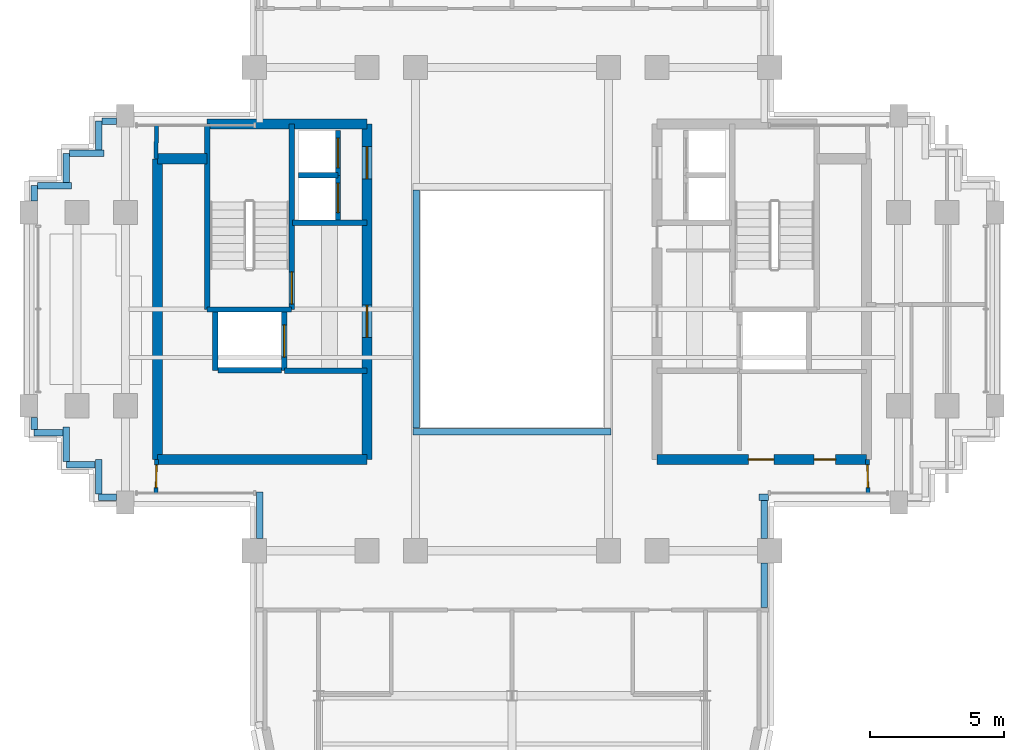
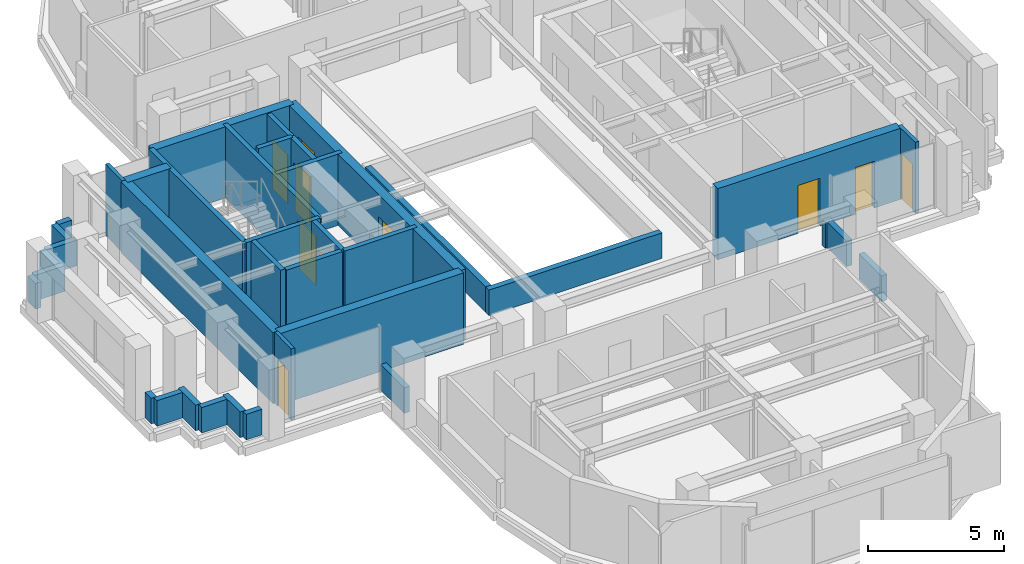
# One storey, part 6 of 11: 38 walls, 10 doors, 10 openings.
"""IFC4 building model written with IfcOpenShell, lengths in metres."""

from ifc_helpers import new_model, si_unit, direction, frame, frame_2d, origin, place, context, subcontext, project, spatial, rectangle, extrude, source, transform, mapped, material, layer, layer_set, type_object, element, fill, save


model = new_model("IFC4")

# Units and contexts
model_context = context("Model", 3, precision=1e-05, world=origin(), true_north=direction((0.0, 1.0)))
body_context = subcontext(model_context, "Body", "Model", "MODEL_VIEW")
ifc_project = project(units=[si_unit("LENGTHUNIT", "METRE"), si_unit("AREAUNIT", "SQUARE_METRE"), si_unit("VOLUMEUNIT", "CUBIC_METRE"), si_unit("PLANEANGLEUNIT", "RADIAN"), si_unit("MASSUNIT", "GRAM", prefix="KILO")], contexts=[model_context])

# Site, building, storey
site_placement = place(None, origin())
site = spatial("IfcSite", under=ifc_project, at=site_placement, CompositionType="ELEMENT")
building_placement = place(site_placement, origin())
building = spatial("IfcBuilding", under=site, at=building_placement, Name="Keilestroom Media Tower", CompositionType="ELEMENT")
storey_placement = place(building_placement, frame((0.0, 0.0, 194.39990234375)))
storey = spatial("IfcBuildingStorey", under=building, at=storey_placement, Name="L53", CompositionType="ELEMENT", Elevation=194.39990234375)

# Wall
ifc_material_1 = material(Name="Gypsum Plasterboard & Steel Stud", Category="steel")
ifc_layer_1 = layer(ifc_material_1, 0.14990234375)
ifc_layer_set_1 = layer_set([ifc_layer_1], Name="Gypsum Plasterboard & Steel Stud")
wall_type_1 = type_object("IfcWallType", Name="Interior-Partition-Wall-150", PredefinedType="PARTITIONING", material=ifc_layer_set_1)
wall_1_placement = place(storey_placement, frame((-13.260009765625, 5.60009765625, 0.0), z_axis=(0.0, 0.0, 1.0), x_axis=(0.016013571389, 0.999871774545, 0.0)))
element("IfcWall", 1, at=wall_1_placement, inside=storey, type_object=wall_type_1, Name="L53 Interior Wall WP-L53-HDINE-ENTN", PredefinedType="PARTITIONING", context=body_context, shape_type="SweptSolid", body=[
    extrude(rectangle(XDim=1.250244140625, YDim=0.14990234375, at=frame_2d((0.625, 0.0))), origin(), (0.0, 0.0, 1.0), 3.2001953125),
])

# Wall, opening, door
wall_2_placement = place(storey_placement, frame((-13.260009765625, -6.85009765625, 0.0), z_axis=(0.0, 0.0, 1.0), x_axis=(0.016013571389, 0.999871774545, 0.0)))
wall_2 = element("IfcWall", 2, at=wall_2_placement, inside=storey, type_object=wall_type_1, Name="L53 Interior Wall WP-L53-HDINE-ENTS", PredefinedType="PARTITIONING", context=body_context, shape_type="SweptSolid", body=[
    extrude(rectangle(XDim=1.250244140625, YDim=0.14990234375, at=frame_2d((0.625, 0.0))), origin(), (0.0, 0.0, 1.0), 3.2001953125),
])
opening_1_placement = place(wall_2_placement, frame((0.199951171875, 0.0, 0.0)))
opening_1 = element("IfcOpeningElement", 3, at=opening_1_placement, cuts=wall_2, Name="Opening DI-05", PredefinedType="OPENING", context=body_context, shape_type="SweptSolid", body=[
    extrude(rectangle(XDim=0.85009765625, YDim=2.10009765625, at=frame_2d((0.425048828125, 1.050048828125))), frame((0.0, 0.0849609375, 0.0), z_axis=(0.0, -1.0, 0.0), x_axis=(1.0, 0.0, 0.0)), (0.0, 0.0, 1.0), 0.169921875),
])
ifc_material_2 = material(Name="Moisture-Resistant Oak Leaf", Category="wood")
door_type_1 = type_object("IfcDoorType", Name="Interior-En-Suite-And-Cupboard-Door-DI-05", OperationType="NOTDEFINED", PredefinedType="DOOR", material=ifc_material_2)
shared_shape_1 = source(origin(), body_context, "Body", "SweptSolid", [
    extrude(rectangle(XDim=0.85009765625, YDim=2.10009765625, at=frame_2d((0.425048828125, 1.050048828125))), frame((0.0, 0.02490234375, 0.0), z_axis=(0.0, -1.0, 0.0), x_axis=(1.0, 0.0, 0.0)), (0.0, 0.0, 1.0), 0.050048828125),
])
door_1_placement = place(opening_1_placement, origin())
door_1 = element("IfcDoor", 4, at=door_1_placement, inside=storey, type_object=door_type_1, Name="L53 Interior Door DI-L53-DDINE-W", OperationType="SINGLE_SWING_LEFT", OverallHeight=2.10009765625, OverallWidth=0.85009765625, PredefinedType="DOOR", context=body_context, shape_type="MappedRepresentation", body=[
    mapped(shared_shape_1, transform((0.0, 0.0, 0.0), x_axis=(1.0, 0.0, 0.0), y_axis=(0.0, 1.0, 0.0), z_axis=(0.0, 0.0, 1.0), scale=1.0)),
])
fill(opening_1, door_1)

wall_3_placement = place(storey_placement, frame((13.260009765625, -6.85009765625, 0.0), z_axis=(0.0, 0.0, 1.0), x_axis=(-0.016013571389, 0.999871774545, 0.0)))
wall_3 = element("IfcWall", 5, at=wall_3_placement, inside=storey, type_object=wall_type_1, Name="L53 Interior Wall WP-L53-HGYM-ENTS", PredefinedType="PARTITIONING", context=body_context, shape_type="SweptSolid", body=[
    extrude(rectangle(XDim=1.250244140625, YDim=0.14990234375, at=frame_2d((0.625, 0.0))), origin(), (0.0, 0.0, 1.0), 3.2001953125),
])
opening_2_placement = place(wall_3_placement, frame((0.199951171875, 0.0, 0.0)))
opening_2 = element("IfcOpeningElement", 6, at=opening_2_placement, cuts=wall_3, Name="Opening DI-05", PredefinedType="OPENING", context=body_context, shape_type="SweptSolid", body=[
    extrude(rectangle(XDim=0.85009765625, YDim=2.10009765625, at=frame_2d((0.425048828125, 1.050048828125))), frame((0.0, 0.0849609375, 0.0), z_axis=(0.0, -1.0, 0.0), x_axis=(1.0, 0.0, 0.0)), (0.0, 0.0, 1.0), 0.169921875),
])
door_2_placement = place(opening_2_placement, origin())
door_2 = element("IfcDoor", 7, at=door_2_placement, inside=storey, type_object=door_type_1, Name="L53 Interior Door DI-L53-DHGYM-ENTS", OperationType="SINGLE_SWING_RIGHT", OverallHeight=2.10009765625, OverallWidth=0.85009765625, PredefinedType="DOOR", context=body_context, shape_type="MappedRepresentation", body=[
    mapped(shared_shape_1, transform((0.0, 0.0, 0.0), x_axis=(1.0, 0.0, 0.0), y_axis=(0.0, 1.0, 0.0), z_axis=(0.0, 0.0, 1.0), scale=1.0)),
])
fill(opening_2, door_2)

# Wall
ifc_material_3 = material(Name="Concrete C55/67", Category="concrete")
ifc_layer_2 = layer(ifc_material_3, 0.3798828125)
ifc_layer_set_2 = layer_set([ifc_layer_2], Name="Concrete C55/67")
wall_type_2 = type_object("IfcWallType", Name="Reinforced-Concrete-Core-Shear-Wall-380", PredefinedType="SHEAR", material=ifc_layer_set_2)
wall_4_placement = place(storey_placement, frame((-13.199951171875, -5.60009765625, 0.0), z_axis=(0.0, 0.0, 1.0), x_axis=(0.0, 1.0, 0.0)))
element("IfcWall", 8, at=wall_4_placement, inside=storey, type_object=wall_type_2, Name="L53 Core Shear Wall WL-L53-CORE-W-OUT", PredefinedType="SHEAR", context=body_context, shape_type="SweptSolid", body=[
    extrude(rectangle(XDim=11.2001953125, YDim=0.3798828125, at=frame_2d((5.60009765625, 0.0))), origin(), (0.0, 0.0, 1.0), 3.2001953125),
])

# Wall, openings, doors
wall_5_placement = place(storey_placement, frame((-5.39990234375, -5.60009765625, 0.0), z_axis=(0.0, 0.0, 1.0), x_axis=(0.0, 1.0, 0.0)))
wall_5 = element("IfcWall", 9, at=wall_5_placement, inside=storey, type_object=wall_type_2, Name="L53 Core Shear Wall WL-L53-CORE-W-IN", PredefinedType="SHEAR", context=body_context, shape_type="SweptSolid", body=[
    extrude(rectangle(XDim=12.5, YDim=0.3798828125, at=frame_2d((6.25, 0.0))), origin(), (0.0, 0.0, 1.0), 3.2001953125),
])
opening_3_placement = place(wall_5_placement, frame((4.550048828125, 0.0, 0.0)))
opening_3 = element("IfcOpeningElement", 10, at=opening_3_placement, cuts=wall_5, Name="Opening DI-02", PredefinedType="OPENING", context=body_context, shape_type="SweptSolid", body=[
    extrude(rectangle(XDim=1.199951171875, YDim=2.199951171875, at=frame_2d((0.60009765625, 1.10009765625))), frame((0.0, 0.199951171875, 0.0), z_axis=(0.0, -1.0, 0.0), x_axis=(1.0, 0.0, 0.0)), (0.0, 0.0, 1.0), 0.39990234375),
])
opening_4_placement = place(wall_5_placement, frame((10.449951171875, 0.0, 0.0)))
opening_4 = element("IfcOpeningElement", 11, at=opening_4_placement, cuts=wall_5, Name="Opening DI-02", PredefinedType="OPENING", context=body_context, shape_type="SweptSolid", body=[
    extrude(rectangle(XDim=1.199951171875, YDim=2.199951171875, at=frame_2d((0.60009765625, 1.10009765625))), frame((0.0, 0.199951171875, 0.0), z_axis=(0.0, -1.0, 0.0), x_axis=(1.0, 0.0, 0.0)), (0.0, 0.0, 1.0), 0.39990234375),
])
ifc_material_4 = material(Name="Powder-Coated Steel Fire Leaf", Category="steel")
door_type_2 = type_object("IfcDoorType", Name="Interior-Compartment-Fire-Door-DI-02", OperationType="NOTDEFINED", PredefinedType="DOOR", material=ifc_material_4)
shared_shape_2 = source(origin(), body_context, "Body", "SweptSolid", [
    extrude(rectangle(XDim=1.199951171875, YDim=2.199951171875, at=frame_2d((0.60009765625, 1.10009765625))), frame((0.0, 0.02490234375, 0.0), z_axis=(0.0, -1.0, 0.0), x_axis=(1.0, 0.0, 0.0)), (0.0, 0.0, 1.0), 0.050048828125),
])
door_3_placement = place(opening_3_placement, origin())
door_3 = element("IfcDoor", 12, at=door_3_placement, inside=storey, type_object=door_type_2, Name="L53 W Firefighting Lobby Door", OperationType="SINGLE_SWING_RIGHT", OverallHeight=2.199951171875, OverallWidth=1.199951171875, PredefinedType="DOOR", context=body_context, shape_type="MappedRepresentation", body=[
    mapped(shared_shape_2, transform((0.0, 0.0, 0.0), x_axis=(1.0, 0.0, 0.0), y_axis=(0.0, 1.0, 0.0), z_axis=(0.0, 0.0, 1.0), scale=1.0)),
])
fill(opening_3, door_3)
door_4_placement = place(opening_4_placement, origin())
door_4 = element("IfcDoor", 13, at=door_4_placement, inside=storey, type_object=door_type_2, Name="L53 W High-Rise Lift Lobby Door", OperationType="SINGLE_SWING_LEFT", OverallHeight=2.199951171875, OverallWidth=1.199951171875, PredefinedType="DOOR", context=body_context, shape_type="MappedRepresentation", body=[
    mapped(shared_shape_2, transform((0.0, 0.0, 0.0), x_axis=(1.0, 0.0, 0.0), y_axis=(0.0, 1.0, 0.0), z_axis=(0.0, 0.0, 1.0), scale=1.0)),
])
fill(opening_4, door_4)

# Walls
wall_6_placement = place(storey_placement, frame((-11.35595703125, 6.89990234375, 0.0), z_axis=(0.0, 0.0, 1.0), x_axis=(1.0, 0.0, 0.0)))
element("IfcWall", 14, at=wall_6_placement, inside=storey, type_object=wall_type_2, Name="L53 Core Shear Wall WL-L53-CORE-W-N", PredefinedType="SHEAR", context=body_context, shape_type="SweptSolid", body=[
    extrude(rectangle(XDim=5.9560546875, YDim=0.3798828125, at=frame_2d((2.97802734375, 0.0))), origin(), (0.0, 0.0, 1.0), 3.2001953125),
])
wall_7_placement = place(storey_placement, frame((-13.199951171875, 5.60009765625, 0.0), z_axis=(0.0, 0.0, 1.0), x_axis=(1.0, 0.0, 0.0)))
element("IfcWall", 15, at=wall_7_placement, inside=storey, type_object=wall_type_2, Name="L53 Core Shear Wall WL-L53-CNW-N", PredefinedType="SHEAR", context=body_context, shape_type="SweptSolid", body=[
    extrude(rectangle(XDim=1.843994140625, YDim=0.3798828125, at=frame_2d((0.921875, 0.0))), origin(), (0.0, 0.0, 1.0), 3.2001953125),
])
wall_8_placement = place(storey_placement, frame((-13.199951171875, -5.60009765625, 0.0), z_axis=(0.0, 0.0, 1.0), x_axis=(1.0, 0.0, 0.0)))
element("IfcWall", 16, at=wall_8_placement, inside=storey, type_object=wall_type_2, Name="L53 Core Shear Wall WL-L53-CORE-W-S", PredefinedType="SHEAR", context=body_context, shape_type="SweptSolid", body=[
    extrude(rectangle(XDim=7.800048828125, YDim=0.3798828125, at=frame_2d((3.89990234375, 0.0))), origin(), (0.0, 0.0, 1.0), 3.2001953125),
])

# Wall, openings, doors
wall_9_placement = place(storey_placement, frame((5.39990234375, -5.60009765625, 0.0), z_axis=(0.0, 0.0, 1.0), x_axis=(1.0, 0.0, 0.0)))
wall_9 = element("IfcWall", 17, at=wall_9_placement, inside=storey, type_object=wall_type_2, Name="L53 Core Shear Wall WL-L53-CORE-E-S", PredefinedType="SHEAR", context=body_context, shape_type="SweptSolid", body=[
    extrude(rectangle(XDim=7.800048828125, YDim=0.3798828125, at=frame_2d((3.89990234375, 0.0))), origin(), (0.0, 0.0, 1.0), 3.2001953125),
])
opening_5_placement = place(wall_9_placement, frame((5.85009765625, 0.0, 0.0)))
opening_5 = element("IfcOpeningElement", 18, at=opening_5_placement, cuts=wall_9, Name="Opening DI-06", PredefinedType="OPENING", context=body_context, shape_type="SweptSolid", body=[
    extrude(rectangle(XDim=0.800048828125, YDim=2.10009765625, at=frame_2d((0.39990234375, 1.050048828125))), frame((0.0, 0.199951171875, 0.0), z_axis=(0.0, -1.0, 0.0), x_axis=(1.0, 0.0, 0.0)), (0.0, 0.0, 1.0), 0.39990234375),
])
opening_6_placement = place(wall_9_placement, frame((3.39990234375, 0.0, 0.0)))
opening_6 = element("IfcOpeningElement", 19, at=opening_6_placement, cuts=wall_9, Name="Opening DI-03", PredefinedType="OPENING", context=body_context, shape_type="SweptSolid", body=[
    extrude(rectangle(XDim=0.949951171875, YDim=2.14990234375, at=frame_2d((0.47509765625, 1.074951171875))), frame((0.0, 0.199951171875, 0.0), z_axis=(0.0, -1.0, 0.0), x_axis=(1.0, 0.0, 0.0)), (0.0, 0.0, 1.0), 0.39990234375),
])
ifc_material_5 = material(Name="Powder-Coated Steel Service Leaf", Category="steel")
door_type_3 = type_object("IfcDoorType", Name="Interior-Riser-Access-Door-DI-06", OperationType="NOTDEFINED", PredefinedType="DOOR", material=ifc_material_5)
shared_shape_3 = source(origin(), body_context, "Body", "SweptSolid", [
    extrude(rectangle(XDim=0.800048828125, YDim=2.10009765625, at=frame_2d((0.39990234375, 1.050048828125))), frame((0.0, 0.02490234375, 0.0), z_axis=(0.0, -1.0, 0.0), x_axis=(1.0, 0.0, 0.0)), (0.0, 0.0, 1.0), 0.050048828125),
])
door_5_placement = place(opening_5_placement, origin())
door_5 = element("IfcDoor", 20, at=door_5_placement, inside=storey, type_object=door_type_3, Name="L53 Reclaimed East Core Room Door", OperationType="SINGLE_SWING_RIGHT", OverallHeight=2.10009765625, OverallWidth=0.800048828125, PredefinedType="DOOR", context=body_context, shape_type="MappedRepresentation", body=[
    mapped(shared_shape_3, transform((0.0, 0.0, 0.0), x_axis=(1.0, 0.0, 0.0), y_axis=(0.0, 1.0, 0.0), z_axis=(0.0, 0.0, 1.0), scale=1.0)),
])
fill(opening_5, door_5)
ifc_material_6 = material(Name="Lacquered European Oak Leaf", Category="wood")
door_type_4 = type_object("IfcDoorType", Name="Interior-Room-And-Suite-Door-DI-03", OperationType="NOTDEFINED", PredefinedType="DOOR", material=ifc_material_6)
shared_shape_4 = source(origin(), body_context, "Body", "SweptSolid", [
    extrude(rectangle(XDim=0.949951171875, YDim=2.14990234375, at=frame_2d((0.47509765625, 1.074951171875))), frame((0.0, 0.02490234375, 0.0), z_axis=(0.0, -1.0, 0.0), x_axis=(1.0, 0.0, 0.0)), (0.0, 0.0, 1.0), 0.050048828125),
])
door_6_placement = place(opening_6_placement, origin())
door_6 = element("IfcDoor", 21, at=door_6_placement, inside=storey, type_object=door_type_4, Name="L53 Reclaimed Mid East Room Door", OperationType="SINGLE_SWING_RIGHT", OverallHeight=2.14990234375, OverallWidth=0.949951171875, PredefinedType="DOOR", context=body_context, shape_type="MappedRepresentation", body=[
    mapped(shared_shape_4, transform((0.0, 0.0, 0.0), x_axis=(1.0, 0.0, 0.0), y_axis=(0.0, 1.0, 0.0), z_axis=(0.0, 0.0, 1.0), scale=1.0)),
])
fill(opening_6, door_6)

# Walls
ifc_material_7 = material(Name="Concrete C50/60", Category="concrete")
ifc_layer_3 = layer(ifc_material_7, 0.199951171875)
ifc_layer_set_3 = layer_set([ifc_layer_3], Name="Concrete C50/60")
wall_type_3 = type_object("IfcWallType", Name="Reinforced-Concrete-Shaft-Wall-200", PredefinedType="SOLIDWALL", material=ifc_layer_set_3)
wall_10_placement = place(storey_placement, frame((-8.179931640625, 3.219970703125, 0.0), z_axis=(0.0, 0.0, 1.0), x_axis=(1.0, 0.0, 0.0)))
element("IfcWall", 22, at=wall_10_placement, inside=storey, type_object=wall_type_3, Name="L53 Core Shear Wall WL-L53-CORE-W-FFN", PredefinedType="SOLIDWALL", context=body_context, shape_type="SweptSolid", body=[
    extrude(rectangle(XDim=2.780029296875, YDim=0.199951171875, at=frame_2d((1.39013671875, 0.0))), origin(), (0.0, 0.0, 1.0), 3.2001953125),
])
wall_11_placement = place(storey_placement, frame((-8.47998046875, -2.300048828125, 0.0), z_axis=(0.0, 0.0, 1.0), x_axis=(1.0, 0.0, 0.0)))
element("IfcWall", 23, at=wall_11_placement, inside=storey, type_object=wall_type_3, Name="L53 Core Shear Wall WL-L53-CORE-W-FFS", PredefinedType="SOLIDWALL", context=body_context, shape_type="SweptSolid", body=[
    extrude(rectangle(XDim=3.080078125, YDim=0.199951171875, at=frame_2d((1.5400390625, 0.0))), origin(), (0.0, 0.0, 1.0), 3.2001953125),
])

# Wall, opening, door
wall_12_placement = place(storey_placement, frame((-8.2041015625, -0.01611328125, 0.0), z_axis=(0.0, 0.0, 1.0), x_axis=(0.0, 1.0, 0.0)))
wall_12 = element("IfcWall", 24, at=wall_12_placement, inside=storey, type_object=wall_type_3, Name="L53 Core Shear Wall WL-L53-STW-W-NEAR", PredefinedType="SOLIDWALL", context=body_context, shape_type="SweptSolid", body=[
    extrude(rectangle(XDim=6.916015625, YDim=0.199951171875, at=frame_2d((3.4580078125, 0.0))), origin(), (0.0, 0.0, 1.0), 3.2001953125),
])
opening_7_placement = place(wall_12_placement, frame((0.199951171875, 0.0, 0.0)))
opening_7 = element("IfcOpeningElement", 25, at=opening_7_placement, cuts=wall_12, Name="Opening DI-01S", PredefinedType="OPENING", context=body_context, shape_type="SweptSolid", body=[
    extrude(rectangle(XDim=1.199951171875, YDim=2.199951171875, at=frame_2d((0.60009765625, 1.10009765625))), frame((0.0, 0.10986328125, 0.0), z_axis=(0.0, -1.0, 0.0), x_axis=(1.0, 0.0, 0.0)), (0.0, 0.0, 1.0), 0.219970703125),
])
door_type_5 = type_object("IfcDoorType", Name="Interior-Stair-And-Core-Fire-Door-DI-01", OperationType="NOTDEFINED", PredefinedType="DOOR", material=ifc_material_4)
door_7_placement = place(opening_7_placement, origin())
door_7 = element("IfcDoor", 26, at=door_7_placement, inside=storey, type_object=door_type_5, Name="L53 Escape Stair ST-1 Fire Door", OperationType="SINGLE_SWING_LEFT", OverallHeight=2.199951171875, OverallWidth=1.199951171875, PredefinedType="DOOR", context=body_context, shape_type="MappedRepresentation", body=[
    mapped(shared_shape_2, transform((0.0, 0.0, 0.0), x_axis=(1.0, 0.0, 0.0), y_axis=(0.0, 1.0, 0.0), z_axis=(0.0, 0.0, 1.0), scale=1.0)),
])
fill(opening_7, door_7)

# Walls
wall_13_placement = place(storey_placement, frame((-11.35595703125, -0.01611328125, 0.0), z_axis=(0.0, 0.0, 1.0), x_axis=(0.0, 1.0, 0.0)))
element("IfcWall", 27, at=wall_13_placement, inside=storey, type_object=wall_type_3, Name="L53 Core Shear Wall WL-L53-STW-W-FAR", PredefinedType="SOLIDWALL", context=body_context, shape_type="SweptSolid", body=[
    extrude(rectangle(XDim=6.916015625, YDim=0.199951171875, at=frame_2d((3.4580078125, 0.0))), origin(), (0.0, 0.0, 1.0), 3.2001953125),
])
wall_14_placement = place(storey_placement, frame((-11.35595703125, -0.01611328125, 0.0), z_axis=(0.0, 0.0, 1.0), x_axis=(1.0, 0.0, 0.0)))
element("IfcWall", 28, at=wall_14_placement, inside=storey, type_object=wall_type_3, Name="L53 Core Shear Wall WL-L53-STW-W-S", PredefinedType="SOLIDWALL", context=body_context, shape_type="SweptSolid", body=[
    extrude(rectangle(XDim=3.15185546875, YDim=0.199951171875, at=frame_2d((1.575927734375, 0.0))), origin(), (0.0, 0.0, 1.0), 3.2001953125),
])
wall_15_placement = place(storey_placement, frame((-11.050048828125, -2.280029296875, 0.0), z_axis=(0.0, 0.0, 1.0), x_axis=(0.0, 1.0, 0.0)))
element("IfcWall", 29, at=wall_15_placement, inside=storey, type_object=wall_type_3, Name="L53 Core Shear Wall WL-L53-LSH-FFL-1-W", PredefinedType="SOLIDWALL", context=body_context, shape_type="SweptSolid", body=[
    extrude(rectangle(XDim=2.179931640625, YDim=0.199951171875, at=frame_2d((1.08984375, 0.0))), origin(), (0.0, 0.0, 1.0), 3.2001953125),
])

# Wall, opening, door
wall_16_placement = place(storey_placement, frame((-8.47998046875, -2.280029296875, 0.0), z_axis=(0.0, 0.0, 1.0), x_axis=(0.0, 1.0, 0.0)))
wall_16 = element("IfcWall", 30, at=wall_16_placement, inside=storey, type_object=wall_type_3, Name="L53 Core Shear Wall WL-L53-LSH-FFL-1-E", PredefinedType="SOLIDWALL", context=body_context, shape_type="SweptSolid", body=[
    extrude(rectangle(XDim=2.179931640625, YDim=0.199951171875, at=frame_2d((1.08984375, 0.0))), origin(), (0.0, 0.0, 1.0), 3.2001953125),
])
opening_8_placement = place(wall_16_placement, frame((0.489990234375, 0.0, 0.0)))
opening_8 = element("IfcOpeningElement", 31, at=opening_8_placement, cuts=wall_16, Name="Opening LD-02", PredefinedType="OPENING", context=body_context, shape_type="SweptSolid", body=[
    extrude(rectangle(XDim=1.199951171875, YDim=2.199951171875, at=frame_2d((0.60009765625, 1.10009765625))), frame((0.0, 0.10986328125, 0.0), z_axis=(0.0, -1.0, 0.0), x_axis=(1.0, 0.0, 0.0)), (0.0, 0.0, 1.0), 0.219970703125),
])
ifc_material_8 = material(Name="Brushed Stainless Steel Sliding Leaf", Category="steel")
door_type_6 = type_object("IfcDoorType", Name="Lift-Landing-Sliding-Door-LD-02", OperationType="SLIDING_TO_RIGHT", PredefinedType="DOOR", material=ifc_material_8)
door_8_placement = place(opening_8_placement, origin())
door_8 = element("IfcDoor", 32, at=door_8_placement, inside=storey, type_object=door_type_6, Name="L53 Lift FFL-1 Landing Sliding Door", OperationType="SLIDING_TO_RIGHT", OverallHeight=2.199951171875, OverallWidth=1.199951171875, PredefinedType="DOOR", context=body_context, shape_type="MappedRepresentation", body=[
    mapped(shared_shape_2, transform((0.0, 0.0, 0.0), x_axis=(1.0, 0.0, 0.0), y_axis=(0.0, 1.0, 0.0), z_axis=(0.0, 0.0, 1.0), scale=1.0)),
])
fill(opening_8, door_8)

# Wall
wall_17_placement = place(storey_placement, frame((-10.946044921875, -2.280029296875, 0.0), z_axis=(0.0, 0.0, 1.0), x_axis=(1.0, 0.0, 0.0)))
element("IfcWall", 33, at=wall_17_placement, inside=storey, type_object=wall_type_3, Name="L53 Core Shear Wall WL-L53-LSH-FFL-1-S", PredefinedType="SOLIDWALL", context=body_context, shape_type="SweptSolid", body=[
    extrude(rectangle(XDim=2.362060546875, YDim=0.199951171875, at=frame_2d((1.18115234375, 0.0))), origin(), (0.0, 0.0, 1.0), 3.2001953125),
])

# Wall, opening, door
wall_18_placement = place(storey_placement, frame((-6.47998046875, 3.300048828125, 0.0), z_axis=(0.0, 0.0, 1.0), x_axis=(0.0, 1.0, 0.0)))
wall_18 = element("IfcWall", 34, at=wall_18_placement, inside=storey, type_object=wall_type_3, Name="L53 Core Shear Wall WL-L53-LSH-PL-H1-E", PredefinedType="SOLIDWALL", context=body_context, shape_type="SweptSolid", body=[
    extrude(rectangle(XDim=1.679931640625, YDim=0.199951171875, at=frame_2d((0.83984375, 0.0))), origin(), (0.0, 0.0, 1.0), 3.2001953125),
])
opening_9_placement = place(wall_18_placement, frame((0.2900390625, 0.0, 0.0)))
opening_9 = element("IfcOpeningElement", 35, at=opening_9_placement, cuts=wall_18, Name="Opening LD-01", PredefinedType="OPENING", context=body_context, shape_type="SweptSolid", body=[
    extrude(rectangle(XDim=1.10009765625, YDim=2.199951171875, at=frame_2d((0.550048828125, 1.10009765625))), frame((0.0, 0.10986328125, 0.0), z_axis=(0.0, -1.0, 0.0), x_axis=(1.0, 0.0, 0.0)), (0.0, 0.0, 1.0), 0.219970703125),
])
door_type_7 = type_object("IfcDoorType", Name="Lift-Landing-Sliding-Door-LD-01", OperationType="SLIDING_TO_LEFT", PredefinedType="DOOR", material=ifc_material_8)
shared_shape_5 = source(origin(), body_context, "Body", "SweptSolid", [
    extrude(rectangle(XDim=1.10009765625, YDim=2.199951171875, at=frame_2d((0.550048828125, 1.10009765625))), frame((0.0, 0.02490234375, 0.0), z_axis=(0.0, -1.0, 0.0), x_axis=(1.0, 0.0, 0.0)), (0.0, 0.0, 1.0), 0.050048828125),
])
door_9_placement = place(opening_9_placement, origin())
door_9 = element("IfcDoor", 36, at=door_9_placement, inside=storey, type_object=door_type_7, Name="L53 Lift PL-H1 Landing Sliding Door", OperationType="SLIDING_TO_LEFT", OverallHeight=2.199951171875, OverallWidth=1.10009765625, PredefinedType="DOOR", context=body_context, shape_type="MappedRepresentation", body=[
    mapped(shared_shape_5, transform((0.0, 0.0, 0.0), x_axis=(1.0, 0.0, 0.0), y_axis=(0.0, 1.0, 0.0), z_axis=(0.0, 0.0, 1.0), scale=1.0)),
])
fill(opening_9, door_9)

# Wall
wall_19_placement = place(storey_placement, frame((-7.949951171875, 4.97998046875, 0.0), z_axis=(0.0, 0.0, 1.0), x_axis=(1.0, 0.0, 0.0)))
element("IfcWall", 37, at=wall_19_placement, inside=storey, type_object=wall_type_3, Name="L53 Core Shear Wall WL-L53-LSH-PL-H1-N", PredefinedType="SOLIDWALL", context=body_context, shape_type="SweptSolid", body=[
    extrude(rectangle(XDim=1.469970703125, YDim=0.199951171875, at=frame_2d((0.73486328125, 0.0))), origin(), (0.0, 0.0, 1.0), 3.2001953125),
])

# Wall, opening, door
wall_20_placement = place(storey_placement, frame((-6.47998046875, 4.97998046875, 0.0), z_axis=(0.0, 0.0, 1.0), x_axis=(0.0, 1.0, 0.0)))
wall_20 = element("IfcWall", 38, at=wall_20_placement, inside=storey, type_object=wall_type_3, Name="L53 Core Shear Wall WL-L53-LSH-PL-H2-E", PredefinedType="SOLIDWALL", context=body_context, shape_type="SweptSolid", body=[
    extrude(rectangle(XDim=1.669921875, YDim=0.199951171875, at=frame_2d((0.8349609375, 0.0))), origin(), (0.0, 0.0, 1.0), 3.2001953125),
])
opening_10_placement = place(wall_20_placement, frame((0.284912109375, 0.0, 0.0)))
opening_10 = element("IfcOpeningElement", 39, at=opening_10_placement, cuts=wall_20, Name="Opening LD-01", PredefinedType="OPENING", context=body_context, shape_type="SweptSolid", body=[
    extrude(rectangle(XDim=1.10009765625, YDim=2.199951171875, at=frame_2d((0.550048828125, 1.10009765625))), frame((0.0, 0.10986328125, 0.0), z_axis=(0.0, -1.0, 0.0), x_axis=(1.0, 0.0, 0.0)), (0.0, 0.0, 1.0), 0.219970703125),
])
door_10_placement = place(opening_10_placement, origin())
door_10 = element("IfcDoor", 40, at=door_10_placement, inside=storey, type_object=door_type_7, Name="L53 Lift PL-H2 Landing Sliding Door", OperationType="SLIDING_TO_LEFT", OverallHeight=2.199951171875, OverallWidth=1.10009765625, PredefinedType="DOOR", context=body_context, shape_type="MappedRepresentation", body=[
    mapped(shared_shape_5, transform((0.0, 0.0, 0.0), x_axis=(1.0, 0.0, 0.0), y_axis=(0.0, 1.0, 0.0), z_axis=(0.0, 0.0, 1.0), scale=1.0)),
])
fill(opening_10, door_10)

# Walls
ifc_material_9 = material(Name="Precast concrete C40/50", Category="concrete")
ifc_layer_4 = layer(ifc_material_9, 0.239990234375)
ifc_layer_set_4 = layer_set([ifc_layer_4], Name="Precast concrete C40/50")
wall_type_4 = type_object("IfcWallType", Name="Roof-And-Terrace-Parapet-Wall-240", PredefinedType="PARAPET", material=ifc_layer_set_4)
wall_21_placement = place(storey_placement, frame((9.547119140625, -7.0, 0.0), z_axis=(0.0, 0.0, 1.0), x_axis=(-1.0, 0.0, 0.0)))
element("IfcWall", 41, at=wall_21_placement, inside=storey, type_object=wall_type_4, Name="L53 Perimeter Edge Parapet Wall 07", PredefinedType="PARAPET", context=body_context, shape_type="SweptSolid", body=[
    extrude(rectangle(XDim=0.34716796875, YDim=0.239990234375, at=frame_2d((0.173583984375, 0.0))), origin(), (0.0, 0.0, 1.0), 1.150146484375),
])
wall_22_placement = place(storey_placement, frame((9.39990234375, -7.123046875, 0.0), z_axis=(0.0, 0.0, 1.0), x_axis=(0.0, -1.0, 0.0)))
element("IfcWall", 42, at=wall_22_placement, inside=storey, type_object=wall_type_4, Name="L53 Perimeter Edge Parapet Wall 08", PredefinedType="PARAPET", context=body_context, shape_type="SweptSolid", body=[
    extrude(rectangle(XDim=1.424072265625, YDim=0.239990234375, at=frame_2d((0.7119140625, 0.0))), origin(), (0.0, 0.0, 1.0), 1.150146484375),
])
wall_23_placement = place(storey_placement, frame((9.39990234375, -9.452880859375, 0.0), z_axis=(0.0, 0.0, 1.0), x_axis=(0.0, -1.0, 0.0)))
element("IfcWall", 43, at=wall_23_placement, inside=storey, type_object=wall_type_4, Name="L53 Perimeter Edge Parapet Wall 09", PredefinedType="PARAPET", context=body_context, shape_type="SweptSolid", body=[
    extrude(rectangle(XDim=1.669189453125, YDim=0.239990234375, at=frame_2d((0.83447265625, 0.0))), origin(), (0.0, 0.0, 1.0), 1.150146484375),
])
wall_24_placement = place(storey_placement, frame((-9.39990234375, -8.547119140625, 0.0), z_axis=(0.0, 0.0, 1.0), x_axis=(0.0, 1.0, 0.0)))
element("IfcWall", 44, at=wall_24_placement, inside=storey, type_object=wall_type_4, Name="L53 Perimeter Edge Parapet Wall 14", PredefinedType="PARAPET", context=body_context, shape_type="SweptSolid", body=[
    extrude(rectangle(XDim=1.728271484375, YDim=0.239990234375, at=frame_2d((0.8642578125, 0.0))), origin(), (0.0, 0.0, 1.0), 1.150146484375),
])
wall_25_placement = place(storey_placement, frame((-14.72802734375, -7.0, 0.0), z_axis=(0.0, 0.0, 1.0), x_axis=(-1.0, 0.0, 0.0)))
element("IfcWall", 45, at=wall_25_placement, inside=storey, type_object=wall_type_4, Name="L53 Perimeter Edge Parapet Wall 15", PredefinedType="PARAPET", context=body_context, shape_type="SweptSolid", body=[
    extrude(rectangle(XDim=0.671875, YDim=0.239990234375, at=frame_2d((0.3359375, 0.0))), origin(), (0.0, 0.0, 1.0), 1.150146484375),
])
wall_26_placement = place(storey_placement, frame((-15.39990234375, -6.876953125, 0.0), z_axis=(0.0, 0.0, 1.0), x_axis=(0.0, 1.0, 0.0)))
element("IfcWall", 46, at=wall_26_placement, inside=storey, type_object=wall_type_4, Name="L53 Perimeter Edge Parapet Wall 16", PredefinedType="PARAPET", context=body_context, shape_type="SweptSolid", body=[
    extrude(rectangle(XDim=1.27685546875, YDim=0.239990234375, at=frame_2d((0.638427734375, 0.0))), origin(), (0.0, 0.0, 1.0), 1.150146484375),
])
wall_27_placement = place(storey_placement, frame((-15.52294921875, -5.800048828125, 0.0), z_axis=(0.0, 0.0, 1.0), x_axis=(-1.0, 0.0, 0.0)))
element("IfcWall", 47, at=wall_27_placement, inside=storey, type_object=wall_type_4, Name="L53 Perimeter Edge Parapet Wall 17", PredefinedType="PARAPET", context=body_context, shape_type="SweptSolid", body=[
    extrude(rectangle(XDim=1.0771484375, YDim=0.239990234375, at=frame_2d((0.53857421875, 0.0))), origin(), (0.0, 0.0, 1.0), 1.150146484375),
])
wall_28_placement = place(storey_placement, frame((-16.60009765625, -5.677001953125, 0.0), z_axis=(0.0, 0.0, 1.0), x_axis=(0.0, 1.0, 0.0)))
element("IfcWall", 48, at=wall_28_placement, inside=storey, type_object=wall_type_4, Name="L53 Perimeter Edge Parapet Wall 18", PredefinedType="PARAPET", context=body_context, shape_type="SweptSolid", body=[
    extrude(rectangle(XDim=1.277099609375, YDim=0.239990234375, at=frame_2d((0.638671875, 0.0))), origin(), (0.0, 0.0, 1.0), 1.150146484375),
])
wall_29_placement = place(storey_placement, frame((-16.722900390625, -4.60009765625, 0.0), z_axis=(0.0, 0.0, 1.0), x_axis=(-1.0, 0.0, 0.0)))
element("IfcWall", 49, at=wall_29_placement, inside=storey, type_object=wall_type_4, Name="L53 Perimeter Edge Parapet Wall 19", PredefinedType="PARAPET", context=body_context, shape_type="SweptSolid", body=[
    extrude(rectangle(XDim=1.0771484375, YDim=0.239990234375, at=frame_2d((0.53857421875, 0.0))), origin(), (0.0, 0.0, 1.0), 1.150146484375),
])
wall_30_placement = place(storey_placement, frame((-17.800048828125, -4.47705078125, 0.0), z_axis=(0.0, 0.0, 1.0), x_axis=(0.0, 1.0, 0.0)))
element("IfcWall", 50, at=wall_30_placement, inside=storey, type_object=wall_type_4, Name="L53 Perimeter Edge Parapet Wall 20", PredefinedType="PARAPET", context=body_context, shape_type="SweptSolid", body=[
    extrude(rectangle(XDim=0.448974609375, YDim=0.239990234375, at=frame_2d((0.224609375, 0.0))), origin(), (0.0, 0.0, 1.0), 1.150146484375),
])
wall_31_placement = place(storey_placement, frame((-17.800048828125, 4.028076171875, 0.0), z_axis=(0.0, 0.0, 1.0), x_axis=(0.0, 1.0, 0.0)))
element("IfcWall", 51, at=wall_31_placement, inside=storey, type_object=wall_type_4, Name="L53 Perimeter Edge Parapet Wall 21", PredefinedType="PARAPET", context=body_context, shape_type="SweptSolid", body=[
    extrude(rectangle(XDim=0.572021484375, YDim=0.239990234375, at=frame_2d((0.2861328125, 0.0))), origin(), (0.0, 0.0, 1.0), 1.150146484375),
])
wall_32_placement = place(storey_placement, frame((-17.677001953125, 4.60009765625, 0.0), z_axis=(0.0, 0.0, 1.0), x_axis=(1.0, 0.0, 0.0)))
element("IfcWall", 52, at=wall_32_placement, inside=storey, type_object=wall_type_4, Name="L53 Perimeter Edge Parapet Wall 22", PredefinedType="PARAPET", context=body_context, shape_type="SweptSolid", body=[
    extrude(rectangle(XDim=1.277099609375, YDim=0.239990234375, at=frame_2d((0.638671875, 0.0))), origin(), (0.0, 0.0, 1.0), 1.150146484375),
])
wall_33_placement = place(storey_placement, frame((-16.60009765625, 4.722900390625, 0.0), z_axis=(0.0, 0.0, 1.0), x_axis=(0.0, 1.0, 0.0)))
element("IfcWall", 53, at=wall_33_placement, inside=storey, type_object=wall_type_4, Name="L53 Perimeter Edge Parapet Wall 23", PredefinedType="PARAPET", context=body_context, shape_type="SweptSolid", body=[
    extrude(rectangle(XDim=1.0771484375, YDim=0.239990234375, at=frame_2d((0.53857421875, 0.0))), origin(), (0.0, 0.0, 1.0), 1.150146484375),
])
wall_34_placement = place(storey_placement, frame((-16.47705078125, 5.800048828125, 0.0), z_axis=(0.0, 0.0, 1.0), x_axis=(1.0, 0.0, 0.0)))
element("IfcWall", 54, at=wall_34_placement, inside=storey, type_object=wall_type_4, Name="L53 Perimeter Edge Parapet Wall 24", PredefinedType="PARAPET", context=body_context, shape_type="SweptSolid", body=[
    extrude(rectangle(XDim=1.277099609375, YDim=0.239990234375, at=frame_2d((0.638671875, 0.0))), origin(), (0.0, 0.0, 1.0), 1.150146484375),
])
wall_35_placement = place(storey_placement, frame((-15.39990234375, 5.923095703125, 0.0), z_axis=(0.0, 0.0, 1.0), x_axis=(0.0, 1.0, 0.0)))
element("IfcWall", 55, at=wall_35_placement, inside=storey, type_object=wall_type_4, Name="L53 Perimeter Edge Parapet Wall 25", PredefinedType="PARAPET", context=body_context, shape_type="SweptSolid", body=[
    extrude(rectangle(XDim=1.076904296875, YDim=0.239990234375, at=frame_2d((0.53857421875, 0.0))), origin(), (0.0, 0.0, 1.0), 1.150146484375),
])
wall_36_placement = place(storey_placement, frame((-15.277099609375, 7.0, 0.0), z_axis=(0.0, 0.0, 1.0), x_axis=(1.0, 0.0, 0.0)))
element("IfcWall", 56, at=wall_36_placement, inside=storey, type_object=wall_type_4, Name="L53 Perimeter Edge Parapet Wall 26", PredefinedType="PARAPET", context=body_context, shape_type="SweptSolid", body=[
    extrude(rectangle(XDim=0.549072265625, YDim=0.239990234375, at=frame_2d((0.2744140625, 0.0))), origin(), (0.0, 0.0, 1.0), 1.150146484375),
])
wall_37_placement = place(storey_placement, frame((-3.679931640625, -4.56005859375, 0.0), z_axis=(0.0, 0.0, 1.0), x_axis=(1.0, 0.0, 0.0)))
element("IfcWall", 57, at=wall_37_placement, inside=storey, type_object=wall_type_4, Name="L53 Central Atrium Guard Parapet S", PredefinedType="PARAPET", context=body_context, shape_type="SweptSolid", body=[
    extrude(rectangle(XDim=7.35986328125, YDim=0.239990234375, at=frame_2d((3.679931640625, 0.0))), origin(), (0.0, 0.0, 1.0), 1.150146484375),
])
wall_38_placement = place(storey_placement, frame((-3.56005859375, -4.43505859375, 0.0), z_axis=(0.0, 0.0, 1.0), x_axis=(0.0, 1.0, 0.0)))
element("IfcWall", 58, at=wall_38_placement, inside=storey, type_object=wall_type_4, Name="L53 Central Atrium Guard Parapet W", PredefinedType="PARAPET", context=body_context, shape_type="SweptSolid", body=[
    extrude(rectangle(XDim=8.8701171875, YDim=0.239990234375, at=frame_2d((4.43505859375, 0.0))), origin(), (0.0, 0.0, 1.0), 1.150146484375),
])

save(model, "model.ifc")
